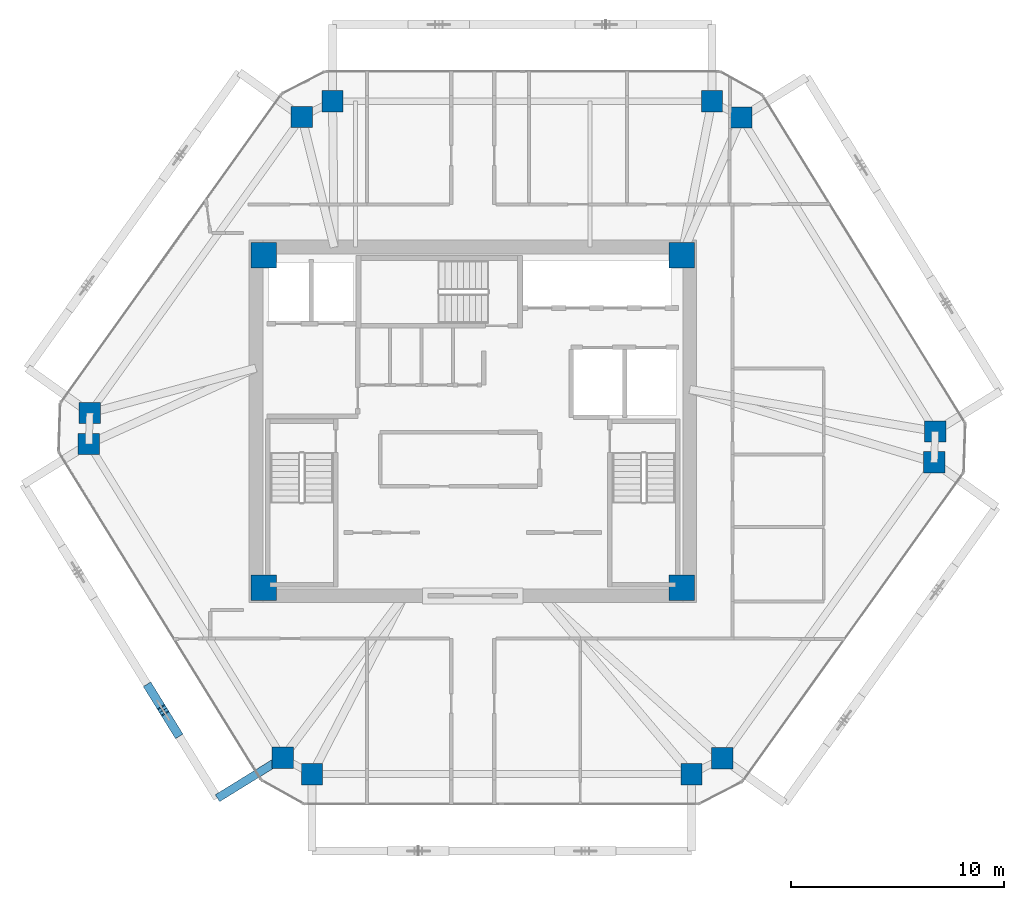
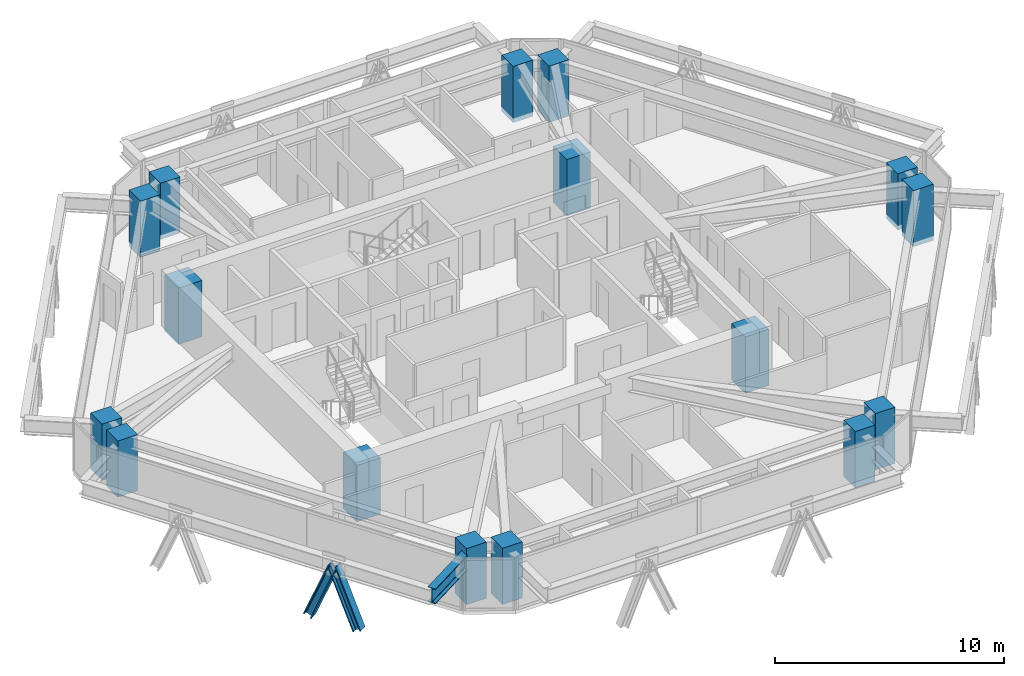
# One storey, part 1 of 15: 16 columns, 2 members, 1 beam.
"""IFC4 building model written with IfcOpenShell, lengths in metres."""

from ifc_helpers import new_model, si_unit, direction, frame, origin, origin_2d, place, context, subcontext, project, spatial, rectangle, i_section, extrude, source, transform, mapped, material, material_profile, profile_set, type_object, type_shapes, element, save


model = new_model("IFC4")

# Units and contexts
model_context = context("Model", 3, precision=1e-05, world=origin(), true_north=direction((0.0, 1.0)))
body_context = subcontext(model_context, "Body", "Model", "MODEL_VIEW")
ifc_project = project(units=[si_unit("LENGTHUNIT", "METRE"), si_unit("AREAUNIT", "SQUARE_METRE"), si_unit("VOLUMEUNIT", "CUBIC_METRE"), si_unit("PLANEANGLEUNIT", "RADIAN"), si_unit("MASSUNIT", "GRAM", prefix="KILO")], contexts=[model_context])

# Site, building, storey
site_placement = place(None, origin())
site = spatial("IfcSite", under=ifc_project, at=site_placement, CompositionType="ELEMENT")
building_placement = place(site_placement, origin())
building = spatial("IfcBuilding", under=site, at=building_placement, Name="Durnholm Broadcast Tower", CompositionType="ELEMENT")
storey_placement = place(building_placement, frame((0.0, 0.0, 206.199951171875)))
storey = spatial("IfcBuildingStorey", under=building, at=storey_placement, Name="L57", CompositionType="ELEMENT", Elevation=206.199951171875)

# Columns
ifc_material_1 = material(Name="Concrete C70/85", Category="concrete")
ifc_material_profile_1 = material_profile(ifc_material_1, rectangle(XDim=1.199951171875, YDim=1.199951171875, at=origin_2d()), Name="RC1200X1200")
ifc_profile_set_1 = profile_set([ifc_material_profile_1], Name="Concrete C70/85")
column_type_1 = type_object("IfcColumnType", Name="COL-CC-1200", PredefinedType="COLUMN", material=ifc_profile_set_1)
shared_shape_1 = source(origin(), body_context, "Body", "SweptSolid", [
    extrude(rectangle(XDim=1.199951171875, YDim=1.199951171875, at=origin_2d()), origin(), (0.0, 0.0, 1.0), 3.0),
])
type_shapes(column_type_1, [shared_shape_1])
for number, where, z_axis, x_axis, name in (
    (1, (-9.800048828125, -7.800048828125, -0.239990234375), (0.0, 0.0, 1.0), (1.0, 0.0, 0.0), "L57 core corner column 1"),
    (2, (9.800048828125, -7.800048828125, -0.239990234375), (0.0, 0.0, 1.0), (1.0, 0.0, 0.0), "L57 core corner column 2"),
    (3, (9.800048828125, 7.800048828125, -0.239990234375), (0.0, 0.0, 1.0), (1.0, 0.0, 0.0), "L57 core corner column 3"),
    (4, (-9.800048828125, 7.800048828125, -0.239990234375), (0.0, 0.0, 1.0), (1.0, 0.0, 0.0), "L57 core corner column 4"),
):
    element("IfcColumn", number, at=place(storey_placement, frame(where, z_axis=z_axis, x_axis=x_axis)), inside=storey, type_object=column_type_1, Name=name, PredefinedType="COLUMN", context=body_context, shape_type="MappedRepresentation", body=[
        mapped(shared_shape_1, transform((0.0, 0.0, 0.0), x_axis=(1.0, 0.0, 0.0), y_axis=(0.0, 1.0, 0.0), z_axis=(0.0, 0.0, 1.0), scale=1.0)),
    ])
ifc_material_profile_2 = material_profile(ifc_material_1, rectangle(XDim=1.0, YDim=1.0, at=origin_2d()), Name="RC1000X1000")
ifc_profile_set_2 = profile_set([ifc_material_profile_2], Name="Concrete C70/85")
column_type_2 = type_object("IfcColumnType", Name="COL-CC-1000", PredefinedType="COLUMN", material=ifc_profile_set_2)
shared_shape_2 = source(origin(), body_context, "Body", "SweptSolid", [
    extrude(rectangle(XDim=1.0, YDim=1.0, at=origin_2d()), origin(), (0.0, 0.0, 1.0), 3.0),
])
type_shapes(column_type_2, [shared_shape_2])
for number, where, z_axis, x_axis, name in (
    (5, (-8.91259765625, -15.7763671875, -0.239990234375), (0.0, 0.0, 1.0), (1.0, 0.0, 0.0), "L57 perimeter hexagonal tube column 01"),
    (6, (-18.009033203125, -1.056640625, -0.239990234375), (0.0, 0.0, 1.0), (1.0, 0.0, 0.0), "L57 perimeter hexagonal tube column 02"),
    (7, (-17.9599609375, 0.3955078125, -0.239990234375), (0.0, 0.0, 1.0), (1.0, 0.0, 0.0), "L57 perimeter hexagonal tube column 03"),
    (8, (-8.021728515625, 14.2763671875, -0.239990234375), (0.0, 0.0, 1.0), (1.0, 0.0, 0.0), "L57 perimeter hexagonal tube column 04"),
    (9, (-6.57861328125, 15.01806640625, -0.239990234375), (0.0, 0.0, 1.0), (1.0, 0.0, 0.0), "L57 perimeter hexagonal tube column 05"),
    (10, (11.217529296875, 15.01806640625, -0.239990234375), (0.0, 0.0, 1.0), (1.0, 0.0, 0.0), "L57 perimeter hexagonal tube column 06"),
    (11, (12.5908203125, 14.252197265625, -0.239990234375), (0.0, 0.0, 1.0), (1.0, 0.0, 0.0), "L57 perimeter hexagonal tube column 07"),
    (12, (21.68701171875, -0.46728515625, -0.239990234375), (0.0, 0.0, 1.0), (1.0, 0.0, 0.0), "L57 perimeter hexagonal tube column 08"),
    (13, (21.637939453125, -1.919677734375, -0.239990234375), (0.0, 0.0, 1.0), (1.0, 0.0, 0.0), "L57 perimeter hexagonal tube column 09"),
    (14, (11.69970703125, -15.80029296875, -0.239990234375), (0.0, 0.0, 1.0), (1.0, 0.0, 0.0), "L57 perimeter hexagonal tube column 10"),
    (15, (10.256591796875, -16.5419921875, -0.239990234375), (0.0, 0.0, 1.0), (1.0, 0.0, 0.0), "L57 perimeter hexagonal tube column 11"),
    (16, (-7.53955078125, -16.5419921875, -0.239990234375), (0.0, 0.0, 1.0), (1.0, 0.0, 0.0), "L57 perimeter hexagonal tube column 12"),
):
    element("IfcColumn", number, at=place(storey_placement, frame(where, z_axis=z_axis, x_axis=x_axis)), inside=storey, type_object=column_type_2, Name=name, PredefinedType="COLUMN", context=body_context, shape_type="MappedRepresentation", body=[
        mapped(shared_shape_2, transform((0.0, 0.0, 0.0), x_axis=(1.0, 0.0, 0.0), y_axis=(0.0, 1.0, 0.0), z_axis=(0.0, 0.0, 1.0), scale=1.0)),
    ])

# Beam
ifc_material_2 = material(Name="Steel ASTM A992 Grade 50", Category="steel")
ifc_material_profile_3 = material_profile(ifc_material_2, i_section(OverallWidth=0.385009765625, OverallDepth=0.802978515625, WebThickness=0.023681640625, FlangeThickness=0.0419921875, FilletRadius=0.032958984375, at=origin_2d()), Name="W30X261")
ifc_profile_set_3 = profile_set([ifc_material_profile_3], Name="Steel ASTM A992 Grade 50")
beam_type = type_object("IfcBeamType", Name="BM-EXO-TIE", PredefinedType="USERDEFINED", material=ifc_profile_set_3)
shared_shape_3 = source(origin(), body_context, "Body", "SweptSolid", [
    extrude(i_section(OverallWidth=0.385009765625, OverallDepth=0.802978515625, WebThickness=0.023681640625, FlangeThickness=0.0419921875, FilletRadius=0.032958984375, at=origin_2d()), origin(), (0.0, 0.0, 1.0), 3.4560546875),
])
type_shapes(beam_type, [shared_shape_3])
beam_placement = place(storey_placement, frame((-9.03515625, -15.85205078125, 2.008544921875), z_axis=(-0.850693939061, -0.525661318764, 0.0), x_axis=(0.525661318764, -0.850693939061, 0.0)))
element("IfcBeam", 17, at=beam_placement, inside=storey, type_object=beam_type, Name="L57 exoskeleton stand-off tie bracket F6.2", ObjectType="GIRDER", PredefinedType="USERDEFINED", context=body_context, shape_type="MappedRepresentation", body=[
    mapped(shared_shape_3, transform((0.0, 0.0, 0.0), x_axis=(1.0, 0.0, 0.0), y_axis=(0.0, 1.0, 0.0), z_axis=(0.0, 0.0, 1.0), scale=1.0)),
])

# Members
ifc_material_3 = material(Name="Steel ASTM A913 Grade 65", Category="steel")
ifc_material_profile_4 = material_profile(ifc_material_3, i_section(OverallWidth=0.412109375, OverallDepth=0.434814453125, WebThickness=0.035888671875, FlangeThickness=0.057373046875, FilletRadius=0.030517578125, at=origin_2d()), Name="W14X311")
ifc_profile_set_4 = profile_set([ifc_material_profile_4], Name="Steel ASTM A913 Grade 65")
member_type = type_object("IfcMemberType", Name="STL-DG-W14X311", PredefinedType="BRACE", material=ifc_profile_set_4)
shared_shape_4 = source(origin(), body_context, "Body", "SweptSolid", [
    extrude(i_section(OverallWidth=0.412109375, OverallDepth=0.434814453125, WebThickness=0.035888671875, FlangeThickness=0.057373046875, FilletRadius=0.030517578125, at=origin_2d()), origin(), (0.0, 0.0, 1.0), 3.24365234375),
])
member_1_placement = place(storey_placement, frame((-15.170654296875, -12.497802734375, -0.991455078125), z_axis=(0.19990238351, -0.323561877527, 0.924849581542), x_axis=(0.850732935913, 0.525598203719, 0.0)))
element("IfcMember", 18, at=member_1_placement, inside=storey, type_object=member_type, Name="L57 stand-off diagrid brace F6.D2.1", PredefinedType="BRACE", context=body_context, shape_type="MappedRepresentation", body=[
    mapped(shared_shape_4, transform((0.0, 0.0, 0.0), x_axis=(1.0, 0.0, 0.0), y_axis=(0.0, 1.0, 0.0), z_axis=(0.0, 0.0, 1.0), scale=1.0)),
])
shared_shape_5 = source(origin(), body_context, "Body", "SweptSolid", [
    extrude(i_section(OverallWidth=0.412109375, OverallDepth=0.434814453125, WebThickness=0.035888671875, FlangeThickness=0.057373046875, FilletRadius=0.030517578125, at=origin_2d()), origin(), (0.0, 0.0, 1.0), 3.243896484375),
])
type_shapes(member_type, [shared_shape_4, shared_shape_5])
member_2_placement = place(storey_placement, frame((-13.87353515625, -14.596923828125, -0.991455078125), z_axis=(-0.199974638691, 0.323557008556, 0.924835664372), x_axis=(-0.850644447398, -0.525741404219, 0.0)))
element("IfcMember", 19, at=member_2_placement, inside=storey, type_object=member_type, Name="L57 stand-off diagrid brace F6.D2.2", PredefinedType="BRACE", context=body_context, shape_type="MappedRepresentation", body=[
    mapped(shared_shape_5, transform((0.0, 0.0, 0.0), x_axis=(1.0, 0.0, 0.0), y_axis=(0.0, 1.0, 0.0), z_axis=(0.0, 0.0, 1.0), scale=1.0)),
])

save(model, "model.ifc")
